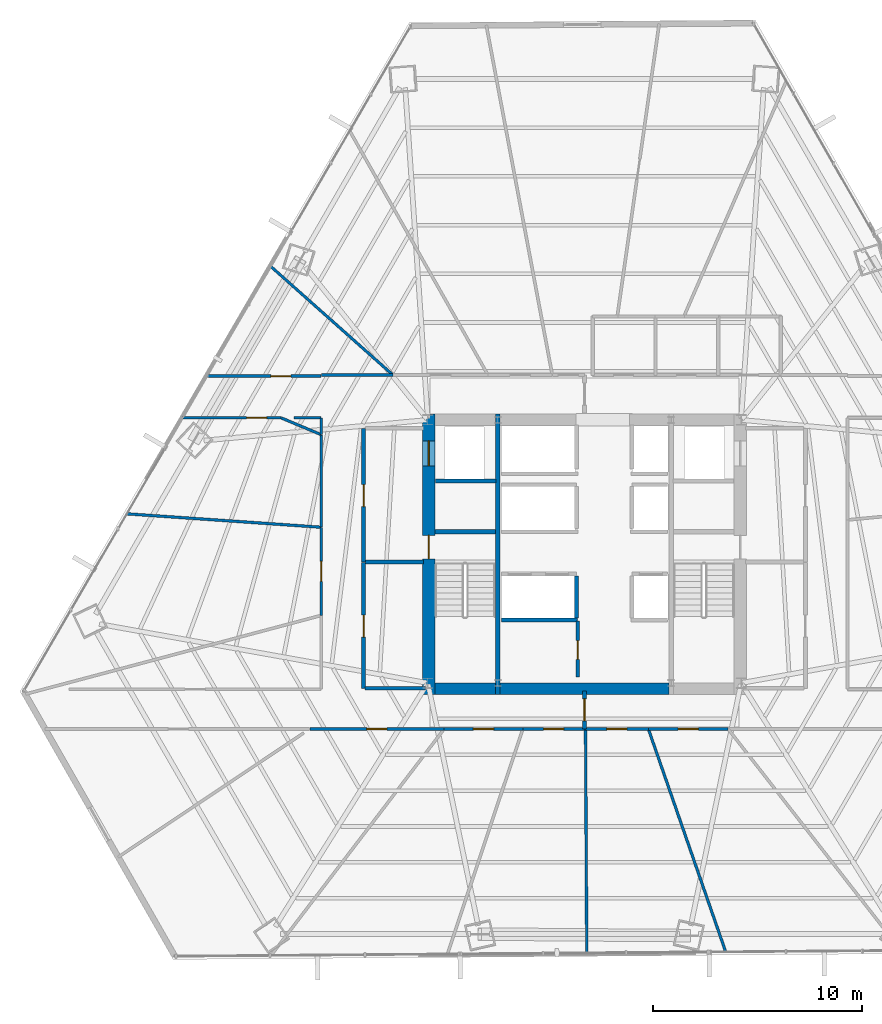
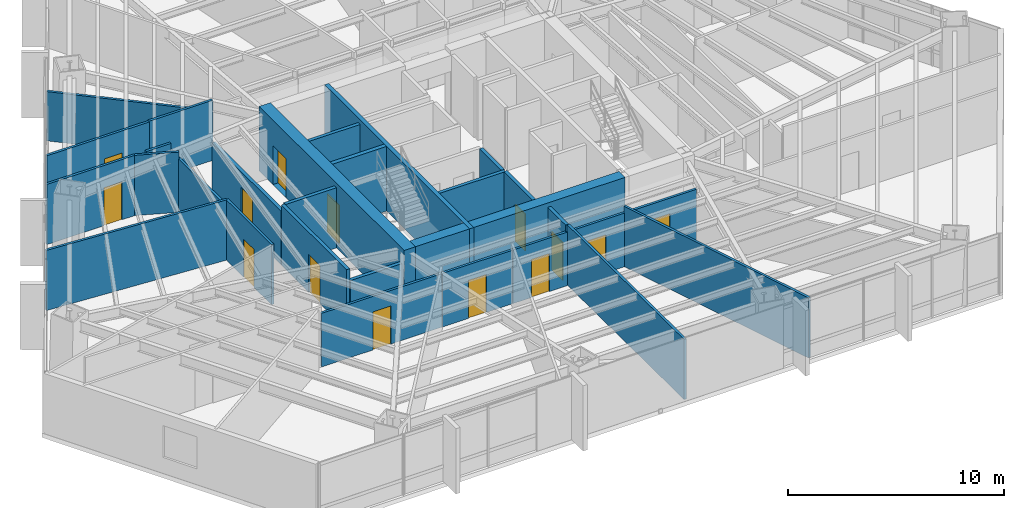
# One storey, part 29 of 35: 31 walls, 14 doors, 14 openings.
"""IFC4 building model written with IfcOpenShell, lengths in metres."""

from ifc_helpers import new_model, si_unit, direction, frame, frame_2d, origin, place, context, subcontext, project, spatial, rectangle, extrude, material, layer, layer_set, type_object, element, fill, save


model = new_model("IFC4")

# Units and contexts
model_context = context("Model", 3, precision=1e-05, world=origin(), true_north=direction((0.0, 1.0)))
body_context = subcontext(model_context, "Body", "Model", "MODEL_VIEW")
ifc_project = project(units=[si_unit("LENGTHUNIT", "METRE"), si_unit("AREAUNIT", "SQUARE_METRE"), si_unit("VOLUMEUNIT", "CUBIC_METRE"), si_unit("PLANEANGLEUNIT", "RADIAN"), si_unit("MASSUNIT", "GRAM", prefix="KILO")], contexts=[model_context])

# Site, building, storey
site_placement = place(None, origin())
site = spatial("IfcSite", under=ifc_project, at=site_placement, CompositionType="ELEMENT")
building_placement = place(site_placement, origin())
building = spatial("IfcBuilding", under=site, at=building_placement, Name="Caelisora Broadcast Tower", CompositionType="ELEMENT")
storey_placement = place(building_placement, frame((0.0, 0.0, 53.14990234375)))
storey = spatial("IfcBuildingStorey", under=building, at=storey_placement, Name="L13", CompositionType="ELEMENT", Elevation=53.14990234375)

# Wall, openings, doors
ifc_material_1 = material(Name="Concrete 65 MPa (AS 3600 S65)", Category="concrete")
ifc_layer_1 = layer(ifc_material_1, 0.60009765625, Name="Concrete 65 MPa (AS 3600 S65)")
ifc_layer_set_1 = layer_set([ifc_layer_1], Name="Concrete 65 MPa (AS 3600 S65)")
wall_type_1 = type_object("IfcWallType", Name="CW1", PredefinedType="SHEAR", material=ifc_layer_set_1)
wall_1_placement = place(storey_placement, frame((30.5400390625, 16.85009765625, 0.0), z_axis=(0.0, 0.0, 1.0), x_axis=(0.0, 1.0, 0.0)))
wall_1 = element("IfcWall", 1, at=wall_1_placement, inside=storey, type_object=wall_type_1, Name="L13 core shear wall CW1", PredefinedType="SHEAR", context=body_context, shape_type="SweptSolid", body=[
    extrude(rectangle(XDim=13.4248046875, YDim=0.60009765625, at=frame_2d((6.71240234375, 0.0))), origin(), (0.0, 0.0, 1.0), 3.650146484375),
])
opening_1_placement = place(wall_1_placement, frame((6.5, 0.0, 0.0)))
opening_1 = element("IfcOpeningElement", 2, at=opening_1_placement, cuts=wall_1, Name="Opening FD04", PredefinedType="OPENING", context=body_context, shape_type="SweptSolid", body=[
    extrude(rectangle(XDim=1.1201171875, YDim=2.14990234375, at=frame_2d((0.56005859375, 1.074951171875))), frame((0.0, 0.31201171875, 0.0), z_axis=(0.0, -1.0, 0.0), x_axis=(1.0, 0.0, 0.0)), (0.0, 0.0, 1.0), 0.6240234375),
])
opening_2_placement = place(wall_1_placement, frame((10.949951171875, 0.0, 0.0)))
opening_2 = element("IfcOpeningElement", 3, at=opening_2_placement, cuts=wall_1, Name="Opening LD04", PredefinedType="OPENING", context=body_context, shape_type="SweptSolid", body=[
    extrude(rectangle(XDim=1.199951171875, YDim=2.199951171875, at=frame_2d((0.60009765625, 1.10009765625))), frame((0.0, 0.31201171875, 0.0), z_axis=(0.0, -1.0, 0.0), x_axis=(1.0, 0.0, 0.0)), (0.0, 0.0, 1.0), 0.6240234375),
])
ifc_material_2 = material(Name="Pressurised Fire-Isolated Stair Door", Category="steel")
door_type_1 = type_object("IfcDoorType", Name="FD04", OperationType="NOTDEFINED", PredefinedType="DOOR", material=ifc_material_2)
door_1_placement = place(opening_1_placement, origin())
door_1 = element("IfcDoor", 4, at=door_1_placement, inside=storey, type_object=door_type_1, Name="L13 door FD04 (L13-DR-ST1)", OperationType="SINGLE_SWING_LEFT", OverallHeight=2.14990234375, OverallWidth=1.1201171875, PredefinedType="DOOR", context=body_context, shape_type="SweptSolid", body=[
    extrude(rectangle(XDim=1.1201171875, YDim=2.14990234375, at=frame_2d((0.56005859375, 1.074951171875))), frame((0.0, 0.02490234375, 0.0), z_axis=(0.0, -1.0, 0.0), x_axis=(1.0, 0.0, 0.0)), (0.0, 0.0, 1.0), 0.050048828125),
])
fill(opening_1, door_1)
ifc_material_3 = material(Name="Emergency Firefighting Lift Sliding Landing Door", Category="steel")
door_type_2 = type_object("IfcDoorType", Name="LD04", OperationType="NOTDEFINED", PredefinedType="DOOR", material=ifc_material_3)
door_2_placement = place(opening_2_placement, origin())
door_2 = element("IfcDoor", 5, at=door_2_placement, inside=storey, type_object=door_type_2, Name="L13 door LD04 (L13-LD-FFL1)", OperationType="SLIDING_TO_LEFT", OverallHeight=2.199951171875, OverallWidth=1.199951171875, PredefinedType="DOOR", context=body_context, shape_type="SweptSolid", body=[
    extrude(rectangle(XDim=1.199951171875, YDim=2.199951171875, at=frame_2d((0.60009765625, 1.10009765625))), frame((0.0, 0.02490234375, 0.0), z_axis=(0.0, -1.0, 0.0), x_axis=(1.0, 0.0, 0.0)), (0.0, 0.0, 1.0), 0.050048828125),
])
fill(opening_2, door_2)

# Walls
ifc_layer_2 = layer(ifc_material_1, 0.550048828125, Name="Concrete 65 MPa (AS 3600 S65)")
ifc_layer_set_2 = layer_set([ifc_layer_2], Name="Concrete 65 MPa (AS 3600 S65)")
wall_type_2 = type_object("IfcWallType", Name="CW4", PredefinedType="SHEAR", material=ifc_layer_set_2)
wall_2_placement = place(storey_placement, frame((30.840087890625, 17.125, 0.0), z_axis=(0.0, 0.0, 1.0), x_axis=(1.0, 0.0, 0.0)))
element("IfcWall", 6, at=wall_2_placement, inside=storey, type_object=wall_type_2, Name="L13 core shear wall CW4", PredefinedType="SHEAR", context=body_context, shape_type="SweptSolid", body=[
    extrude(rectangle(XDim=2.89990234375, YDim=0.550048828125, at=frame_2d((1.449951171875, 0.0))), origin(), (0.0, 0.0, 1.0), 3.650146484375),
])
wall_3_placement = place(storey_placement, frame((33.9599609375, 17.125, 0.0), z_axis=(0.0, 0.0, 1.0), x_axis=(1.0, 0.0, 0.0)))
element("IfcWall", 7, at=wall_3_placement, inside=storey, type_object=wall_type_2, Name="L13 core shear wall CW4", PredefinedType="SHEAR", context=body_context, shape_type="SweptSolid", body=[
    extrude(rectangle(XDim=8.080078125, YDim=0.550048828125, at=frame_2d((4.0400390625, 0.0))), origin(), (0.0, 0.0, 1.0), 3.650146484375),
])
ifc_material_4 = material(Name="Concrete 50 MPa (AS 3600 S50)", Category="concrete")
ifc_layer_3 = layer(ifc_material_4, 0.219970703125, Name="Concrete 50 MPa (AS 3600 S50)")
ifc_layer_set_3 = layer_set([ifc_layer_3], Name="Concrete 50 MPa (AS 3600 S50)")
wall_type_3 = type_object("IfcWallType", Name="CW7", PredefinedType="SHEAR", material=ifc_layer_set_3)
wall_4_placement = place(storey_placement, frame((33.85009765625, 16.85009765625, 0.0), z_axis=(0.0, 0.0, 1.0), x_axis=(0.0, 1.0, 0.0)))
element("IfcWall", 8, at=wall_4_placement, inside=storey, type_object=wall_type_3, Name="L13 core shear wall CW7", PredefinedType="SHEAR", context=body_context, shape_type="SweptSolid", body=[
    extrude(rectangle(XDim=13.4248046875, YDim=0.219970703125, at=frame_2d((6.71240234375, 0.0))), origin(), (0.0, 0.0, 1.0), 3.650146484375),
])
wall_5_placement = place(storey_placement, frame((30.840087890625, 24.639892578125, 0.0), z_axis=(0.0, 0.0, 1.0), x_axis=(1.0, 0.0, 0.0)))
element("IfcWall", 9, at=wall_5_placement, inside=storey, type_object=wall_type_3, Name="L13 core shear wall CW7", PredefinedType="SHEAR", context=body_context, shape_type="SweptSolid", body=[
    extrude(rectangle(XDim=2.89990234375, YDim=0.219970703125, at=frame_2d((1.449951171875, 0.0))), origin(), (0.0, 0.0, 1.0), 3.650146484375),
])
ifc_material_5 = material(Name="Fire-Rated Gypsum Shaft and Compartment Wall", Category="gypsum")
ifc_layer_4 = layer(ifc_material_5, 0.179931640625, Name="Fire-Rated Gypsum Shaft and Compartment Wall")
ifc_layer_set_4 = layer_set([ifc_layer_4], Name="Fire-Rated Gypsum Shaft and Compartment Wall")
wall_type_4 = type_object("IfcWallType", Name="PW2", PredefinedType="PARTITIONING", material=ifc_layer_set_4)
wall_6_placement = place(storey_placement, frame((37.6201171875, 20.52001953125, 0.0), z_axis=(0.0, 0.0, 1.0), x_axis=(0.0, 1.0, 0.0)))
element("IfcWall", 10, at=wall_6_placement, inside=storey, type_object=wall_type_4, Name="L13 fire compartment wall PW2", PredefinedType="PARTITIONING", context=body_context, shape_type="SweptSolid", body=[
    extrude(rectangle(XDim=2.0, YDim=0.179931640625, at=frame_2d((1.0, 0.0))), origin(), (0.0, 0.0, 1.0), 3.400146484375),
])

# Wall, opening, door
wall_7_placement = place(storey_placement, frame((27.419921875, 23.199951171875, 0.0), z_axis=(0.0, 0.0, 1.0), x_axis=(0.0, 1.0, 0.0)))
wall_7 = element("IfcWall", 11, at=wall_7_placement, inside=storey, type_object=wall_type_4, Name="L13 fire compartment wall PW2", PredefinedType="PARTITIONING", context=body_context, shape_type="SweptSolid", body=[
    extrude(rectangle(XDim=6.400146484375, YDim=0.179931640625, at=frame_2d((3.2001953125, 0.0))), origin(), (0.0, 0.0, 1.0), 3.026611328125),
])
opening_3_placement = place(wall_7_placement, frame((2.64990234375, 0.0, 0.0)))
opening_3 = element("IfcOpeningElement", 12, at=opening_3_placement, cuts=wall_7, Name="Opening FD02", PredefinedType="OPENING", context=body_context, shape_type="SweptSolid", body=[
    extrude(rectangle(XDim=1.050048828125, YDim=2.14990234375, at=frame_2d((0.52490234375, 1.074951171875))), frame((0.0, 0.10205078125, 0.0), z_axis=(0.0, -1.0, 0.0), x_axis=(1.0, 0.0, 0.0)), (0.0, 0.0, 1.0), 0.203857421875),
])
ifc_material_6 = material(Name="Single-Leaf Steel Fire Lobby Door", Category="steel")
door_type_3 = type_object("IfcDoorType", Name="FD02", OperationType="NOTDEFINED", PredefinedType="DOOR", material=ifc_material_6)
door_3_placement = place(opening_3_placement, origin())
door_3 = element("IfcDoor", 13, at=door_3_placement, inside=storey, type_object=door_type_3, Name="L13 door FD02 (L13-DR-P01D1)", OperationType="SINGLE_SWING_LEFT", OverallHeight=2.14990234375, OverallWidth=1.050048828125, PredefinedType="DOOR", context=body_context, shape_type="SweptSolid", body=[
    extrude(rectangle(XDim=1.050048828125, YDim=2.14990234375, at=frame_2d((0.52490234375, 1.074951171875))), frame((0.0, 0.02490234375, 0.0), z_axis=(0.0, -1.0, 0.0), x_axis=(1.0, 0.0, 0.0)), (0.0, 0.0, 1.0), 0.050048828125),
])
fill(opening_3, door_3)

# Walls
wall_8_placement = place(storey_placement, frame((27.52001953125, 23.199951171875, 0.0), z_axis=(0.0, 0.0, 1.0), x_axis=(1.0, 0.0, 0.0)))
element("IfcWall", 14, at=wall_8_placement, inside=storey, type_object=wall_type_4, Name="L13 fire compartment wall PW2", PredefinedType="PARTITIONING", context=body_context, shape_type="SweptSolid", body=[
    extrude(rectangle(XDim=2.760009765625, YDim=0.179931640625, at=frame_2d((1.3798828125, 0.0))), origin(), (0.0, 0.0, 1.0), 3.400146484375),
])
wall_9_placement = place(storey_placement, frame((30.860107421875, 27.070068359375, 0.0), z_axis=(0.0, 0.0, 1.0), x_axis=(1.0, 0.0, 0.0)))
element("IfcWall", 15, at=wall_9_placement, inside=storey, type_object=wall_type_4, Name="L13 fire compartment wall PW2", PredefinedType="PARTITIONING", context=body_context, shape_type="SweptSolid", body=[
    extrude(rectangle(XDim=2.89990234375, YDim=0.179931640625, at=frame_2d((1.449951171875, 0.0))), origin(), (0.0, 0.0, 1.0), 3.400146484375),
])
wall_10_placement = place(storey_placement, frame((34.02001953125, 20.419921875, 0.0), z_axis=(0.0, 0.0, 1.0), x_axis=(1.0, 0.0, 0.0)))
element("IfcWall", 16, at=wall_10_placement, inside=storey, type_object=wall_type_4, Name="L13 fire compartment wall PW2", PredefinedType="PARTITIONING", context=body_context, shape_type="SweptSolid", body=[
    extrude(rectangle(XDim=3.639892578125, YDim=0.179931640625, at=frame_2d((1.81982421875, 0.0))), origin(), (0.0, 0.0, 1.0), 3.400146484375),
])

# Wall, opening, door
wall_11_placement = place(storey_placement, frame((37.679931640625, 17.679931640625, 0.0), z_axis=(0.0, 0.0, 1.0), x_axis=(0.0, 1.0, 0.0)))
wall_11 = element("IfcWall", 17, at=wall_11_placement, inside=storey, type_object=wall_type_4, Name="L13 fire compartment wall PW2", PredefinedType="PARTITIONING", context=body_context, shape_type="SweptSolid", body=[
    extrude(rectangle(XDim=2.699951171875, YDim=0.179931640625, at=frame_2d((1.35009765625, 0.0))), origin(), (0.0, 0.0, 1.0), 3.400146484375),
])
opening_4_placement = place(wall_11_placement, frame((0.85009765625, 0.0, 0.0)))
opening_4 = element("IfcOpeningElement", 18, at=opening_4_placement, cuts=wall_11, Name="Opening FD03", PredefinedType="OPENING", context=body_context, shape_type="SweptSolid", body=[
    extrude(rectangle(XDim=0.89990234375, YDim=2.10009765625, at=frame_2d((0.449951171875, 1.050048828125))), frame((0.0, 0.10205078125, 0.0), z_axis=(0.0, -1.0, 0.0), x_axis=(1.0, 0.0, 0.0)), (0.0, 0.0, 1.0), 0.203857421875),
])
ifc_material_7 = material(Name="Single-Leaf Steel Riser Fire Access Door", Category="steel")
door_type_4 = type_object("IfcDoorType", Name="FD03", OperationType="NOTDEFINED", PredefinedType="DOOR", material=ifc_material_7)
door_4_placement = place(opening_4_placement, origin())
door_4 = element("IfcDoor", 19, at=door_4_placement, inside=storey, type_object=door_type_4, Name="L13 door FD03 (L13-DR-P11D1)", OperationType="SINGLE_SWING_LEFT", OverallHeight=2.10009765625, OverallWidth=0.89990234375, PredefinedType="DOOR", context=body_context, shape_type="SweptSolid", body=[
    extrude(rectangle(XDim=0.89990234375, YDim=2.10009765625, at=frame_2d((0.449951171875, 1.050048828125))), frame((0.0, 0.02490234375, 0.0), z_axis=(0.0, -1.0, 0.0), x_axis=(1.0, 0.0, 0.0)), (0.0, 0.0, 1.0), 0.050048828125),
])
fill(opening_4, door_4)

wall_12_placement = place(storey_placement, frame((27.419921875, 17.14990234375, 0.0), z_axis=(0.0, 0.0, 1.0), x_axis=(0.0, 1.0, 0.0)))
wall_12 = element("IfcWall", 20, at=wall_12_placement, inside=storey, type_object=wall_type_4, Name="L13 fire compartment wall PW2", PredefinedType="PARTITIONING", context=body_context, shape_type="SweptSolid", body=[
    extrude(rectangle(XDim=6.030029296875, YDim=0.179931640625, at=frame_2d((3.01513671875, 0.0))), origin(), (0.0, 0.0, 1.0), 3.400146484375),
])
opening_5_placement = place(wall_12_placement, frame((2.449951171875, 0.0, 0.0)))
opening_5 = element("IfcOpeningElement", 21, at=opening_5_placement, cuts=wall_12, Name="Opening FD02", PredefinedType="OPENING", context=body_context, shape_type="SweptSolid", body=[
    extrude(rectangle(XDim=1.050048828125, YDim=2.14990234375, at=frame_2d((0.52490234375, 1.074951171875))), frame((0.0, 0.10205078125, 0.0), z_axis=(0.0, -1.0, 0.0), x_axis=(1.0, 0.0, 0.0)), (0.0, 0.0, 1.0), 0.203857421875),
])
door_5_placement = place(opening_5_placement, origin())
door_5 = element("IfcDoor", 22, at=door_5_placement, inside=storey, type_object=door_type_3, Name="L13 door FD02 (L13-DR-P12D1)", OperationType="SINGLE_SWING_RIGHT", OverallHeight=2.14990234375, OverallWidth=1.050048828125, PredefinedType="DOOR", context=body_context, shape_type="SweptSolid", body=[
    extrude(rectangle(XDim=1.050048828125, YDim=2.14990234375, at=frame_2d((0.52490234375, 1.074951171875))), frame((0.0, 0.02490234375, 0.0), z_axis=(0.0, -1.0, 0.0), x_axis=(1.0, 0.0, 0.0)), (0.0, 0.0, 1.0), 0.050048828125),
])
fill(opening_5, door_5)

# Wall
wall_13_placement = place(storey_placement, frame((27.47998046875, 17.14990234375, 0.0), z_axis=(0.0, 0.0, 1.0), x_axis=(1.0, 0.0, 0.0)))
element("IfcWall", 23, at=wall_13_placement, inside=storey, type_object=wall_type_4, Name="L13 fire compartment wall PW2", PredefinedType="PARTITIONING", context=body_context, shape_type="SweptSolid", body=[
    extrude(rectangle(XDim=2.89990234375, YDim=0.179931640625, at=frame_2d((1.449951171875, 0.0))), origin(), (0.0, 0.0, 1.0), 2.782958984375),
])

# Wall, opening, door
wall_14_placement = place(storey_placement, frame((38.0, 15.205078125, 0.0), z_axis=(0.0, 0.0, 1.0), x_axis=(0.0, 1.0, 0.0)))
wall_14 = element("IfcWall", 24, at=wall_14_placement, inside=storey, type_object=wall_type_4, Name="L13 fire compartment wall PW2", PredefinedType="PARTITIONING", context=body_context, shape_type="SweptSolid", body=[
    extrude(rectangle(XDim=1.81982421875, YDim=0.179931640625, at=frame_2d((0.909912109375, 0.0))), origin(), (0.0, 0.0, 1.0), 3.400146484375),
])
opening_6_placement = place(wall_14_placement, frame((0.385009765625, 0.0, 0.0)))
opening_6 = element("IfcOpeningElement", 25, at=opening_6_placement, cuts=wall_14, Name="Opening FD02", PredefinedType="OPENING", context=body_context, shape_type="SweptSolid", body=[
    extrude(rectangle(XDim=1.050048828125, YDim=2.14990234375, at=frame_2d((0.52490234375, 1.074951171875))), frame((0.0, 0.10205078125, 0.0), z_axis=(0.0, -1.0, 0.0), x_axis=(1.0, 0.0, 0.0)), (0.0, 0.0, 1.0), 0.203857421875),
])
door_6_placement = place(opening_6_placement, origin())
door_6 = element("IfcDoor", 26, at=door_6_placement, inside=storey, type_object=door_type_3, Name="L13 door FD02 (L13-DR-P66D1)", OperationType="SINGLE_SWING_RIGHT", OverallHeight=2.14990234375, OverallWidth=1.050048828125, PredefinedType="DOOR", context=body_context, shape_type="SweptSolid", body=[
    extrude(rectangle(XDim=1.050048828125, YDim=2.14990234375, at=frame_2d((0.52490234375, 1.074951171875))), frame((0.0, 0.02490234375, 0.0), z_axis=(0.0, -1.0, 0.0), x_axis=(1.0, 0.0, 0.0)), (0.0, 0.0, 1.0), 0.050048828125),
])
fill(opening_6, door_6)

# Walls
ifc_material_8 = material(Name="Acoustic Steel-Stud Plasterboard Partition", Category="gypsum")
ifc_layer_5 = layer(ifc_material_8, 0.1298828125, Name="Acoustic Steel-Stud Plasterboard Partition")
ifc_layer_set_5 = layer_set([ifc_layer_5], Name="Acoustic Steel-Stud Plasterboard Partition")
wall_type_5 = type_object("IfcWallType", Name="PW3", PredefinedType="PARTITIONING", material=ifc_layer_set_5)
wall_15_placement = place(storey_placement, frame((41.06201171875, 15.195068359375, 0.0), z_axis=(0.0, 0.0, 1.0), x_axis=(0.327743982719, -0.944766575293, 0.0)))
element("IfcWall", 27, at=wall_15_placement, inside=storey, type_object=wall_type_5, Name="L13 internal partition PW3", PredefinedType="PARTITIONING", context=body_context, shape_type="SweptSolid", body=[
    extrude(rectangle(XDim=11.303955078125, YDim=0.1298828125, at=frame_2d((5.65185546875, 0.0))), origin(), (0.0, 0.0, 1.0), 3.400146484375),
])
wall_16_placement = place(storey_placement, frame((38.050048828125, 15.195068359375, 0.0), z_axis=(0.0, 0.0, 1.0), x_axis=(0.005550541216, -0.999984595627, 0.0)))
element("IfcWall", 28, at=wall_16_placement, inside=storey, type_object=wall_type_5, Name="L13 internal partition PW3", PredefinedType="PARTITIONING", context=body_context, shape_type="SweptSolid", body=[
    extrude(rectangle(XDim=10.732421875, YDim=0.1298828125, at=frame_2d((5.3662109375, 0.0))), origin(), (0.0, 0.0, 1.0), 3.400146484375),
])
wall_17_placement = place(storey_placement, frame((16.0869140625, 25.502685546875, 0.0), z_axis=(0.0, 0.0, 1.0), x_axis=(0.997625619207, -0.06887034123, 0.0)))
element("IfcWall", 29, at=wall_17_placement, inside=storey, type_object=wall_type_5, Name="L13 internal partition PW3", PredefinedType="PARTITIONING", context=body_context, shape_type="SweptSolid", body=[
    extrude(rectangle(XDim=9.330322265625, YDim=0.1298828125, at=frame_2d((4.6650390625, 0.0))), origin(), (0.0, 0.0, 1.0), 3.400146484375),
])
wall_18_placement = place(storey_placement, frame((22.97900390625, 37.3486328125, 0.0), z_axis=(0.0, 0.0, 1.0), x_axis=(0.747517800462, -0.66424177676, 0.0)))
element("IfcWall", 30, at=wall_18_placement, inside=storey, type_object=wall_type_5, Name="L13 internal partition PW3", PredefinedType="PARTITIONING", context=body_context, shape_type="SweptSolid", body=[
    extrude(rectangle(XDim=7.82177734375, YDim=0.1298828125, at=frame_2d((3.910888671875, 0.0))), origin(), (0.0, 0.0, 1.0), 2.782958984375),
])

# Wall, opening, door
wall_19_placement = place(storey_placement, frame((24.844970703125, 15.199951171875, 0.0), z_axis=(0.0, 0.0, 1.0), x_axis=(1.0, 0.0, 0.0)))
wall_19 = element("IfcWall", 31, at=wall_19_placement, inside=storey, type_object=wall_type_5, Name="L13 internal partition PW3", PredefinedType="PARTITIONING", context=body_context, shape_type="SweptSolid", body=[
    extrude(rectangle(XDim=6.429931640625, YDim=0.1298828125, at=frame_2d((3.21484375, 0.0))), origin(), (0.0, 0.0, 1.0), 3.026611328125),
])
opening_7_placement = place(wall_19_placement, frame((2.735107421875, 0.0, 0.0)))
opening_7 = element("IfcOpeningElement", 32, at=opening_7_placement, cuts=wall_19, Name="Opening D01", PredefinedType="OPENING", context=body_context, shape_type="SweptSolid", body=[
    extrude(rectangle(XDim=0.9599609375, YDim=2.14990234375, at=frame_2d((0.47998046875, 1.074951171875))), frame((0.0, 0.076904296875, 0.0), z_axis=(0.0, -1.0, 0.0), x_axis=(1.0, 0.0, 0.0)), (0.0, 0.0, 1.0), 0.15380859375),
])
ifc_material_9 = material(Name="Solid-Core Timber Acoustic Office Door", Category="wood")
door_type_5 = type_object("IfcDoorType", Name="D01", OperationType="NOTDEFINED", PredefinedType="DOOR", material=ifc_material_9)
door_7_placement = place(opening_7_placement, origin())
door_7 = element("IfcDoor", 33, at=door_7_placement, inside=storey, type_object=door_type_5, Name="L13 door D01 (L13-DR-P47D1)", OperationType="SINGLE_SWING_RIGHT", OverallHeight=2.14990234375, OverallWidth=0.9599609375, PredefinedType="DOOR", context=body_context, shape_type="SweptSolid", body=[
    extrude(rectangle(XDim=0.9599609375, YDim=2.14990234375, at=frame_2d((0.47998046875, 1.074951171875))), frame((0.0, 0.02490234375, 0.0), z_axis=(0.0, -1.0, 0.0), x_axis=(1.0, 0.0, 0.0)), (0.0, 0.0, 1.0), 0.050048828125),
])
fill(opening_7, door_7)

wall_20_placement = place(storey_placement, frame((19.92529296875, 32.10009765625, 0.0), z_axis=(0.0, 0.0, 1.0), x_axis=(1.0, 0.0, 0.0)))
wall_20 = element("IfcWall", 34, at=wall_20_placement, inside=storey, type_object=wall_type_5, Name="L13 internal partition PW3", PredefinedType="PARTITIONING", context=body_context, shape_type="SweptSolid", body=[
    extrude(rectangle(XDim=5.4697265625, YDim=0.1298828125, at=frame_2d((2.73486328125, 0.0))), origin(), (0.0, 0.0, 1.0), 3.400146484375),
])
opening_8_placement = place(wall_20_placement, frame((3.06005859375, 0.0, 0.0)))
opening_8 = element("IfcOpeningElement", 35, at=opening_8_placement, cuts=wall_20, Name="Opening D01", PredefinedType="OPENING", context=body_context, shape_type="SweptSolid", body=[
    extrude(rectangle(XDim=0.9599609375, YDim=2.14990234375, at=frame_2d((0.47998046875, 1.074951171875))), frame((0.0, 0.076904296875, 0.0), z_axis=(0.0, -1.0, 0.0), x_axis=(1.0, 0.0, 0.0)), (0.0, 0.0, 1.0), 0.15380859375),
])
door_8_placement = place(opening_8_placement, origin())
door_8 = element("IfcDoor", 36, at=door_8_placement, inside=storey, type_object=door_type_5, Name="L13 door D01 (L13-DR-P49D1)", OperationType="SINGLE_SWING_RIGHT", OverallHeight=2.14990234375, OverallWidth=0.9599609375, PredefinedType="DOOR", context=body_context, shape_type="SweptSolid", body=[
    extrude(rectangle(XDim=0.9599609375, YDim=2.14990234375, at=frame_2d((0.47998046875, 1.074951171875))), frame((0.0, 0.02490234375, 0.0), z_axis=(0.0, -1.0, 0.0), x_axis=(1.0, 0.0, 0.0)), (0.0, 0.0, 1.0), 0.050048828125),
])
fill(opening_8, door_8)

wall_21_placement = place(storey_placement, frame((18.76171875, 30.10009765625, 0.0), z_axis=(0.0, 0.0, 1.0), x_axis=(1.0, 0.0, 0.0)))
wall_21 = element("IfcWall", 37, at=wall_21_placement, inside=storey, type_object=wall_type_5, Name="L13 internal partition PW3", PredefinedType="PARTITIONING", context=body_context, shape_type="SweptSolid", body=[
    extrude(rectangle(XDim=4.703369140625, YDim=0.1298828125, at=frame_2d((2.3515625, 0.0))), origin(), (0.0, 0.0, 1.0), 3.400146484375),
])
opening_9_placement = place(wall_21_placement, frame((3.06005859375, 0.0, 0.0)))
opening_9 = element("IfcOpeningElement", 38, at=opening_9_placement, cuts=wall_21, Name="Opening D01", PredefinedType="OPENING", context=body_context, shape_type="SweptSolid", body=[
    extrude(rectangle(XDim=0.9599609375, YDim=2.14990234375, at=frame_2d((0.47998046875, 1.074951171875))), frame((0.0, 0.076904296875, 0.0), z_axis=(0.0, -1.0, 0.0), x_axis=(1.0, 0.0, 0.0)), (0.0, 0.0, 1.0), 0.15380859375),
])
door_9_placement = place(opening_9_placement, origin())
door_9 = element("IfcDoor", 39, at=door_9_placement, inside=storey, type_object=door_type_5, Name="L13 door D01 (L13-DR-P52D1)", OperationType="SINGLE_SWING_RIGHT", OverallHeight=2.14990234375, OverallWidth=0.9599609375, PredefinedType="DOOR", context=body_context, shape_type="SweptSolid", body=[
    extrude(rectangle(XDim=0.9599609375, YDim=2.14990234375, at=frame_2d((0.47998046875, 1.074951171875))), frame((0.0, 0.02490234375, 0.0), z_axis=(0.0, -1.0, 0.0), x_axis=(1.0, 0.0, 0.0)), (0.0, 0.0, 1.0), 0.050048828125),
])
fill(opening_9, door_9)

# Wall
wall_22_placement = place(storey_placement, frame((25.39990234375, 24.864990234375, 0.0), z_axis=(0.0, 0.0, 1.0), x_axis=(0.0, 1.0, 0.0)))
element("IfcWall", 40, at=wall_22_placement, inside=storey, type_object=wall_type_5, Name="L13 internal partition PW3", PredefinedType="PARTITIONING", context=body_context, shape_type="SweptSolid", body=[
    extrude(rectangle(XDim=4.419921875, YDim=0.1298828125, at=frame_2d((2.2099609375, 0.0))), origin(), (0.0, 0.0, 1.0), 3.026611328125),
])

# Wall, opening, door
wall_23_placement = place(storey_placement, frame((25.39990234375, 20.64501953125, 0.0), z_axis=(0.0, 0.0, 1.0), x_axis=(0.0, 1.0, 0.0)))
wall_23 = element("IfcWall", 41, at=wall_23_placement, inside=storey, type_object=wall_type_5, Name="L13 internal partition PW3", PredefinedType="PARTITIONING", context=body_context, shape_type="SweptSolid", body=[
    extrude(rectangle(XDim=4.2099609375, YDim=0.1298828125, at=frame_2d((2.10498046875, 0.0))), origin(), (0.0, 0.0, 1.0), 3.400146484375),
])
opening_10_placement = place(wall_23_placement, frame((1.625, 0.0, 0.0)))
opening_10 = element("IfcOpeningElement", 42, at=opening_10_placement, cuts=wall_23, Name="Opening D01", PredefinedType="OPENING", context=body_context, shape_type="SweptSolid", body=[
    extrude(rectangle(XDim=0.9599609375, YDim=2.14990234375, at=frame_2d((0.47998046875, 1.074951171875))), frame((0.0, 0.076904296875, 0.0), z_axis=(0.0, -1.0, 0.0), x_axis=(1.0, 0.0, 0.0)), (0.0, 0.0, 1.0), 0.15380859375),
])
door_10_placement = place(opening_10_placement, origin())
door_10 = element("IfcDoor", 43, at=door_10_placement, inside=storey, type_object=door_type_5, Name="L13 door D01 (L13-DR-P55D1)", OperationType="SINGLE_SWING_RIGHT", OverallHeight=2.14990234375, OverallWidth=0.9599609375, PredefinedType="DOOR", context=body_context, shape_type="SweptSolid", body=[
    extrude(rectangle(XDim=0.9599609375, YDim=2.14990234375, at=frame_2d((0.47998046875, 1.074951171875))), frame((0.0, 0.02490234375, 0.0), z_axis=(0.0, -1.0, 0.0), x_axis=(1.0, 0.0, 0.0)), (0.0, 0.0, 1.0), 0.050048828125),
])
fill(opening_10, door_10)

wall_24_placement = place(storey_placement, frame((41.06494140625, 15.199951171875, 0.0), z_axis=(0.0, 0.0, 1.0), x_axis=(1.0, 0.0, 0.0)))
wall_24 = element("IfcWall", 44, at=wall_24_placement, inside=storey, type_object=wall_type_5, Name="L13 internal partition PW3", PredefinedType="PARTITIONING", context=body_context, shape_type="SweptSolid", body=[
    extrude(rectangle(XDim=3.81005859375, YDim=0.1298828125, at=frame_2d((1.905029296875, 0.0))), origin(), (0.0, 0.0, 1.0), 3.026611328125),
])
opening_11_placement = place(wall_24_placement, frame((1.425048828125, 0.0, 0.0)))
opening_11 = element("IfcOpeningElement", 45, at=opening_11_placement, cuts=wall_24, Name="Opening D01", PredefinedType="OPENING", context=body_context, shape_type="SweptSolid", body=[
    extrude(rectangle(XDim=0.9599609375, YDim=2.14990234375, at=frame_2d((0.47998046875, 1.074951171875))), frame((0.0, 0.076904296875, 0.0), z_axis=(0.0, -1.0, 0.0), x_axis=(1.0, 0.0, 0.0)), (0.0, 0.0, 1.0), 0.15380859375),
])
door_11_placement = place(opening_11_placement, origin())
door_11 = element("IfcDoor", 46, at=door_11_placement, inside=storey, type_object=door_type_5, Name="L13 door D01 (L13-DR-P56D1)", OperationType="SINGLE_SWING_LEFT", OverallHeight=2.14990234375, OverallWidth=0.9599609375, PredefinedType="DOOR", context=body_context, shape_type="SweptSolid", body=[
    extrude(rectangle(XDim=0.9599609375, YDim=2.14990234375, at=frame_2d((0.47998046875, 1.074951171875))), frame((0.0, 0.02490234375, 0.0), z_axis=(0.0, -1.0, 0.0), x_axis=(1.0, 0.0, 0.0)), (0.0, 0.0, 1.0), 0.050048828125),
])
fill(opening_11, door_11)

wall_25_placement = place(storey_placement, frame((31.284912109375, 15.199951171875, 0.0), z_axis=(0.0, 0.0, 1.0), x_axis=(1.0, 0.0, 0.0)))
wall_25 = element("IfcWall", 47, at=wall_25_placement, inside=storey, type_object=wall_type_5, Name="L13 internal partition PW3", PredefinedType="PARTITIONING", context=body_context, shape_type="SweptSolid", body=[
    extrude(rectangle(XDim=3.760009765625, YDim=0.1298828125, at=frame_2d((1.8798828125, 0.0))), origin(), (0.0, 0.0, 1.0), 3.026611328125),
])
opening_12_placement = place(wall_25_placement, frame((1.39990234375, 0.0, 0.0)))
opening_12 = element("IfcOpeningElement", 48, at=opening_12_placement, cuts=wall_25, Name="Opening D01", PredefinedType="OPENING", context=body_context, shape_type="SweptSolid", body=[
    extrude(rectangle(XDim=0.9599609375, YDim=2.14990234375, at=frame_2d((0.47998046875, 1.074951171875))), frame((0.0, 0.076904296875, 0.0), z_axis=(0.0, -1.0, 0.0), x_axis=(1.0, 0.0, 0.0)), (0.0, 0.0, 1.0), 0.15380859375),
])
door_12_placement = place(opening_12_placement, origin())
door_12 = element("IfcDoor", 49, at=door_12_placement, inside=storey, type_object=door_type_5, Name="L13 door D01 (L13-DR-P57D1)", OperationType="SINGLE_SWING_RIGHT", OverallHeight=2.14990234375, OverallWidth=0.9599609375, PredefinedType="DOOR", context=body_context, shape_type="SweptSolid", body=[
    extrude(rectangle(XDim=0.9599609375, YDim=2.14990234375, at=frame_2d((0.47998046875, 1.074951171875))), frame((0.0, 0.02490234375, 0.0), z_axis=(0.0, -1.0, 0.0), x_axis=(1.0, 0.0, 0.0)), (0.0, 0.0, 1.0), 0.050048828125),
])
fill(opening_12, door_12)

# Wall
wall_26_placement = place(storey_placement, frame((25.405029296875, 32.14990234375, 0.0), z_axis=(0.0, 0.0, 1.0), x_axis=(1.0, 0.0, 0.0)))
element("IfcWall", 50, at=wall_26_placement, inside=storey, type_object=wall_type_5, Name="L13 internal partition PW3", PredefinedType="PARTITIONING", context=body_context, shape_type="SweptSolid", body=[
    extrude(rectangle(XDim=3.419921875, YDim=0.1298828125, at=frame_2d((1.7099609375, 0.0))), origin(), (0.0, 0.0, 1.0), 3.400146484375),
])

# Wall, opening, door
wall_27_placement = place(storey_placement, frame((38.054931640625, 15.199951171875, 0.0), z_axis=(0.0, 0.0, 1.0), x_axis=(1.0, 0.0, 0.0)))
wall_27 = element("IfcWall", 51, at=wall_27_placement, inside=storey, type_object=wall_type_5, Name="L13 internal partition PW3", PredefinedType="PARTITIONING", context=body_context, shape_type="SweptSolid", body=[
    extrude(rectangle(XDim=3.0, YDim=0.1298828125, at=frame_2d((1.5, 0.0))), origin(), (0.0, 0.0, 1.0), 3.026611328125),
])
opening_13_placement = place(wall_27_placement, frame((1.02001953125, 0.0, 0.0)))
opening_13 = element("IfcOpeningElement", 52, at=opening_13_placement, cuts=wall_27, Name="Opening D01", PredefinedType="OPENING", context=body_context, shape_type="SweptSolid", body=[
    extrude(rectangle(XDim=0.9599609375, YDim=2.14990234375, at=frame_2d((0.47998046875, 1.074951171875))), frame((0.0, 0.076904296875, 0.0), z_axis=(0.0, -1.0, 0.0), x_axis=(1.0, 0.0, 0.0)), (0.0, 0.0, 1.0), 0.15380859375),
])
door_13_placement = place(opening_13_placement, origin())
door_13 = element("IfcDoor", 53, at=door_13_placement, inside=storey, type_object=door_type_5, Name="L13 door D01 (L13-DR-P62D1)", OperationType="SINGLE_SWING_RIGHT", OverallHeight=2.14990234375, OverallWidth=0.9599609375, PredefinedType="DOOR", context=body_context, shape_type="SweptSolid", body=[
    extrude(rectangle(XDim=0.9599609375, YDim=2.14990234375, at=frame_2d((0.47998046875, 1.074951171875))), frame((0.0, 0.02490234375, 0.0), z_axis=(0.0, -1.0, 0.0), x_axis=(1.0, 0.0, 0.0)), (0.0, 0.0, 1.0), 0.050048828125),
])
fill(opening_13, door_13)

wall_28_placement = place(storey_placement, frame((35.054931640625, 15.199951171875, 0.0), z_axis=(0.0, 0.0, 1.0), x_axis=(1.0, 0.0, 0.0)))
wall_28 = element("IfcWall", 54, at=wall_28_placement, inside=storey, type_object=wall_type_5, Name="L13 internal partition PW3", PredefinedType="PARTITIONING", context=body_context, shape_type="SweptSolid", body=[
    extrude(rectangle(XDim=2.940185546875, YDim=0.1298828125, at=frame_2d((1.47021484375, 0.0))), origin(), (0.0, 0.0, 1.0), 3.026611328125),
])
opening_14_placement = place(wall_28_placement, frame((0.989990234375, 0.0, 0.0)))
opening_14 = element("IfcOpeningElement", 55, at=opening_14_placement, cuts=wall_28, Name="Opening D01", PredefinedType="OPENING", context=body_context, shape_type="SweptSolid", body=[
    extrude(rectangle(XDim=0.9599609375, YDim=2.14990234375, at=frame_2d((0.47998046875, 1.074951171875))), frame((0.0, 0.076904296875, 0.0), z_axis=(0.0, -1.0, 0.0), x_axis=(1.0, 0.0, 0.0)), (0.0, 0.0, 1.0), 0.15380859375),
])
door_14_placement = place(opening_14_placement, origin())
door_14 = element("IfcDoor", 56, at=door_14_placement, inside=storey, type_object=door_type_5, Name="L13 door D01 (L13-DR-P63D1)", OperationType="SINGLE_SWING_LEFT", OverallHeight=2.14990234375, OverallWidth=0.9599609375, PredefinedType="DOOR", context=body_context, shape_type="SweptSolid", body=[
    extrude(rectangle(XDim=0.9599609375, YDim=2.14990234375, at=frame_2d((0.47998046875, 1.074951171875))), frame((0.0, 0.02490234375, 0.0), z_axis=(0.0, -1.0, 0.0), x_axis=(1.0, 0.0, 0.0)), (0.0, 0.0, 1.0), 0.050048828125),
])
fill(opening_14, door_14)

# Walls
wall_29_placement = place(storey_placement, frame((23.47509765625, 30.097900390625, 0.0), z_axis=(0.0, 0.0, 1.0), x_axis=(0.922060785378, -0.387045098236, 0.0)))
element("IfcWall", 57, at=wall_29_placement, inside=storey, type_object=wall_type_5, Name="L13 internal partition PW3", PredefinedType="PARTITIONING", context=body_context, shape_type="SweptSolid", body=[
    extrude(rectangle(XDim=2.082275390625, YDim=0.1298828125, at=frame_2d((1.041015625, 0.0))), origin(), (0.0, 0.0, 1.0), 3.400146484375),
])
wall_30_placement = place(storey_placement, frame((25.39501953125, 30.10009765625, 0.0), z_axis=(0.0, 0.0, 1.0), x_axis=(-1.0, 0.0, 0.0)))
element("IfcWall", 58, at=wall_30_placement, inside=storey, type_object=wall_type_5, Name="L13 internal partition PW3", PredefinedType="PARTITIONING", context=body_context, shape_type="SweptSolid", body=[
    extrude(rectangle(XDim=1.302001953125, YDim=0.1298828125, at=frame_2d((0.65087890625, 0.0))), origin(), (0.0, 0.0, 1.0), 3.400146484375),
])
wall_31_placement = place(storey_placement, frame((25.39990234375, 29.294921875, 0.0), z_axis=(0.0, 0.0, 1.0), x_axis=(0.0, 1.0, 0.0)))
element("IfcWall", 59, at=wall_31_placement, inside=storey, type_object=wall_type_5, Name="L13 internal partition PW3", PredefinedType="PARTITIONING", context=body_context, shape_type="SweptSolid", body=[
    extrude(rectangle(XDim=0.800048828125, YDim=0.1298828125, at=frame_2d((0.39990234375, 0.0))), origin(), (0.0, 0.0, 1.0), 3.026611328125),
])

save(model, "model.ifc")
